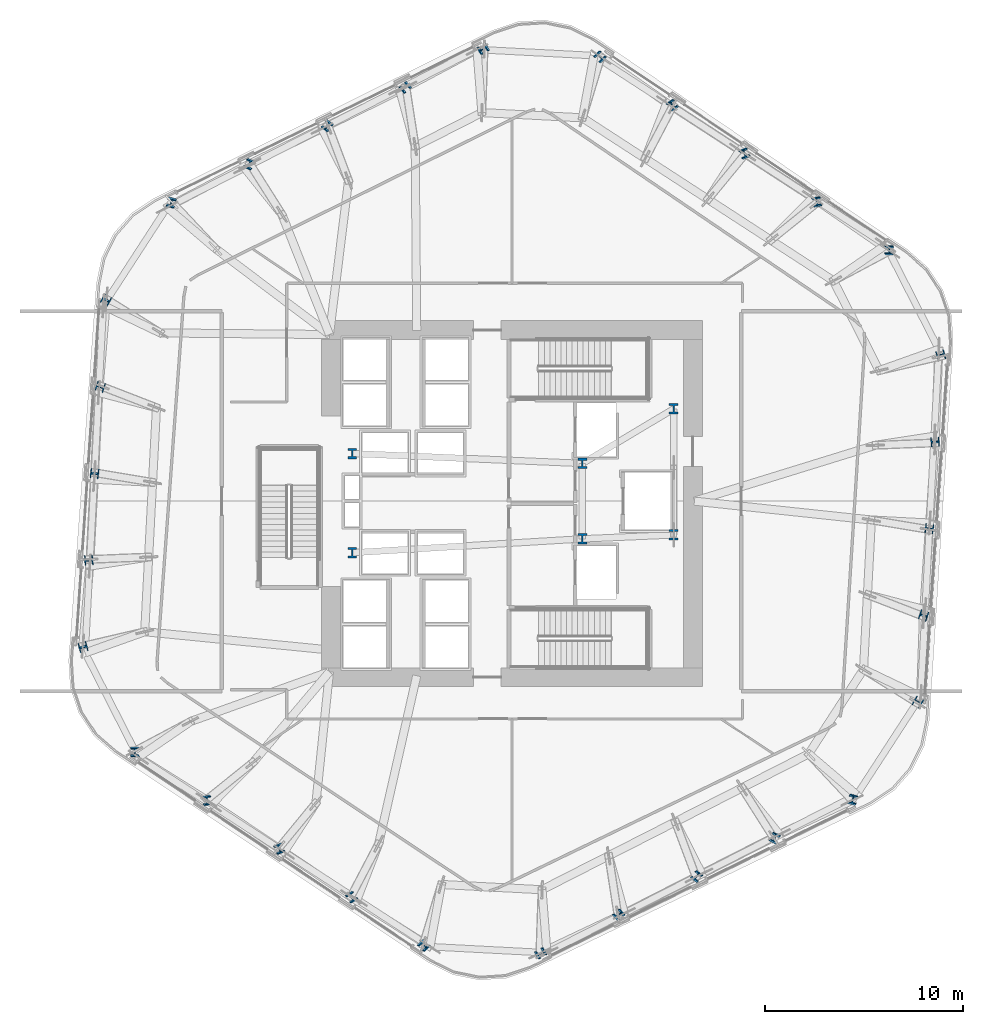
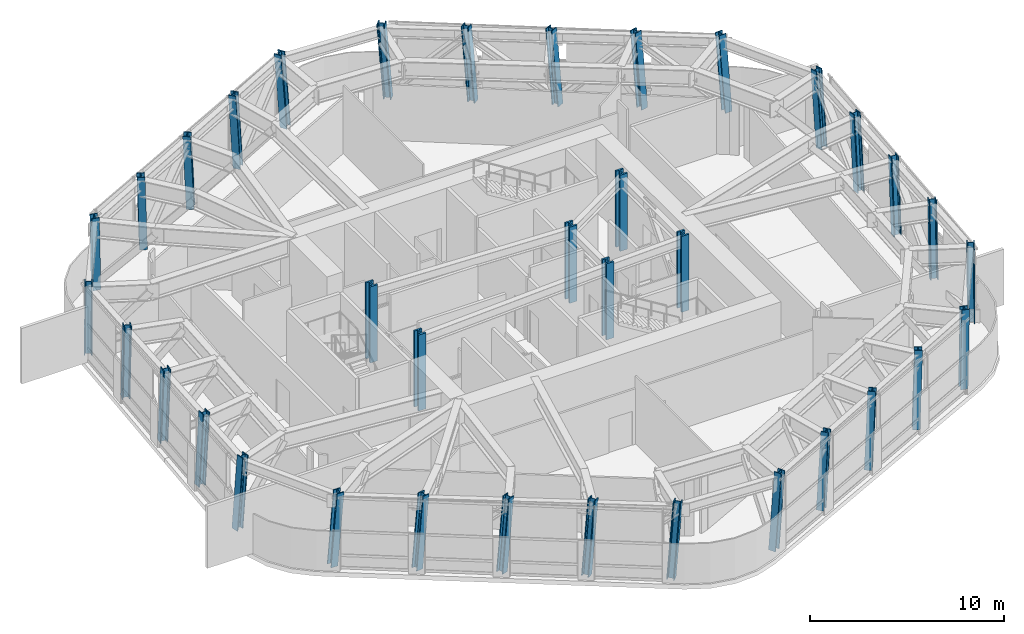
# One storey, part 1 of 14: 36 columns.
"""IFC4 building model written with IfcOpenShell, lengths in metres."""

from ifc_helpers import new_model, si_unit, direction, frame, origin, origin_2d, place, context, subcontext, project, spatial, i_section, extrude, material, material_profile, profile_set, type_object, element, save


model = new_model("IFC4")

# Units and contexts
model_context = context("Model", 3, precision=1e-05, world=origin(), true_north=direction((0.0, 1.0)))
body_context = subcontext(model_context, "Body", "Model", "MODEL_VIEW")
ifc_project = project(units=[si_unit("LENGTHUNIT", "METRE"), si_unit("AREAUNIT", "SQUARE_METRE"), si_unit("VOLUMEUNIT", "CUBIC_METRE"), si_unit("PLANEANGLEUNIT", "RADIAN"), si_unit("MASSUNIT", "GRAM", prefix="KILO")], contexts=[model_context])

# Site, building, storey
site_placement = place(None, origin())
site = spatial("IfcSite", under=ifc_project, at=site_placement, CompositionType="ELEMENT")
building_placement = place(site_placement, origin())
building = spatial("IfcBuilding", under=site, at=building_placement, Name="Valkerne Bourse Tower", CompositionType="ELEMENT")
storey_placement = place(building_placement, frame((0.0, 0.0, 135.199951171875)))
storey = spatial("IfcBuildingStorey", under=building, at=storey_placement, Name="L34", CompositionType="ELEMENT", Elevation=135.199951171875)

# Columns
ifc_material = material(Name="Steel ASTM A913 Grade 65", Category="steel")
ifc_material_profile_1 = material_profile(ifc_material, i_section(OverallWidth=0.408935546875, OverallDepth=0.42431640625, WebThickness=0.03271484375, FlangeThickness=0.052490234375, FilletRadius=0.025390625, at=origin_2d()), Name="W14X283")
ifc_profile_set_1 = profile_set([ifc_material_profile_1], Name="Steel ASTM A913 Grade 65")
column_type_1 = type_object("IfcColumnType", Name="COL-W14X283", PredefinedType="COLUMN", material=ifc_profile_set_1)
column_1_placement = place(storey_placement, frame((65.83740234375, 39.614013671875, 0.010009765625), z_axis=(-0.04180667907, 0.062022576258, 0.997198777386), x_axis=(0.999125709545, 0.002729663543, 0.041717687655)))
element("IfcColumn", 1, at=column_1_placement, inside=storey, type_object=column_type_1, Name="L34 Helical Perimeter Tube Column F1-C1", PredefinedType="COLUMN", context=body_context, shape_type="SweptSolid", body=[
    extrude(i_section(OverallWidth=0.408935546875, OverallDepth=0.42431640625, WebThickness=0.03271484375, FlangeThickness=0.052490234375, FilletRadius=0.025390625, at=origin_2d()), origin(), (0.0, 0.0, 1.0), 4.79443359375),
])
column_2_placement = place(storey_placement, frame((62.199462890625, 42.05859375, 0.010009765625), z_axis=(-0.049714923629, 0.050071485581, 0.997507530147), x_axis=(0.980994849606, 0.190000853988, 0.039354549035)))
element("IfcColumn", 2, at=column_2_placement, inside=storey, type_object=column_type_1, Name="L34 Helical Perimeter Tube Column F1-C2", PredefinedType="COLUMN", context=body_context, shape_type="SweptSolid", body=[
    extrude(i_section(OverallWidth=0.408935546875, OverallDepth=0.42431640625, WebThickness=0.03271484375, FlangeThickness=0.052490234375, FilletRadius=0.025390625, at=origin_2d()), origin(), (0.0, 0.0, 1.0), 4.79296875),
])
column_3_placement = place(storey_placement, frame((58.5615234375, 44.503173828125, 0.010009765625), z_axis=(-0.057667104206, 0.038054175655, 0.99761033716), x_axis=(0.921564203517, 0.386308742407, 0.038535364745)))
element("IfcColumn", 3, at=column_3_placement, inside=storey, type_object=column_type_1, Name="L34 Helical Perimeter Tube Column F1-C3", PredefinedType="COLUMN", context=body_context, shape_type="SweptSolid", body=[
    extrude(i_section(OverallWidth=0.408935546875, OverallDepth=0.42431640625, WebThickness=0.03271484375, FlangeThickness=0.052490234375, FilletRadius=0.025390625, at=origin_2d()), origin(), (0.0, 0.0, 1.0), 4.79248046875),
])
column_4_placement = place(storey_placement, frame((54.923583984375, 46.94775390625, 0.010009765625), z_axis=(-0.06555649173, 0.026079971846, 0.997507985663), x_axis=(0.823761580065, 0.565569059775, 0.039350957205)))
element("IfcColumn", 4, at=column_4_placement, inside=storey, type_object=column_type_1, Name="L34 Helical Perimeter Tube Column F1-C4", PredefinedType="COLUMN", context=body_context, shape_type="SweptSolid", body=[
    extrude(i_section(OverallWidth=0.408935546875, OverallDepth=0.42431640625, WebThickness=0.03271484375, FlangeThickness=0.052490234375, FilletRadius=0.025390625, at=origin_2d()), origin(), (0.0, 0.0, 1.0), 4.79296875),
])
for number, where, z_axis, x_axis, name in (
    (5, (51.28564453125, 49.392333984375, 0.010009765625), (-0.073479814107, 0.014105272701, 0.997196950557), (0.702682382615, 0.71027879759, 0.041731269529), "L34 Helical Perimeter Tube Column F1-C5"),
    (6, (45.394775390625, 49.7939453125, 0.010009765625), (-0.074650953706, -0.005193995415, 0.997196198109), (-0.499979073712, 0.86541152953, -0.032921275905), "L34 Helical Perimeter Tube Column F2-C1"),
):
    element("IfcColumn", number, at=place(storey_placement, frame(where, z_axis=z_axis, x_axis=x_axis)), inside=storey, type_object=column_type_1, Name=name, PredefinedType="COLUMN", context=body_context, shape_type="SweptSolid", body=[
        extrude(i_section(OverallWidth=0.408935546875, OverallDepth=0.42431640625, WebThickness=0.03271484375, FlangeThickness=0.052490234375, FilletRadius=0.025390625, at=origin_2d()), origin(), (0.0, 0.0, 1.0), 4.79443359375),
    ])
column_5_placement = place(storey_placement, frame((41.458740234375, 47.865478515625, 0.010009765625), z_axis=(-0.068255963532, -0.018031799321, 0.997504876006), x_axis=(-0.65365670451, 0.756153603908, -0.031058653335)))
element("IfcColumn", 7, at=column_5_placement, inside=storey, type_object=column_type_1, Name="L34 Helical Perimeter Tube Column F2-C2", PredefinedType="COLUMN", context=body_context, shape_type="SweptSolid", body=[
    extrude(i_section(OverallWidth=0.408935546875, OverallDepth=0.42431640625, WebThickness=0.03271484375, FlangeThickness=0.052490234375, FilletRadius=0.025390625, at=origin_2d()), origin(), (0.0, 0.0, 1.0), 4.79296875),
])
column_6_placement = place(storey_placement, frame((37.522705078125, 45.9375, 0.010009765625), z_axis=(-0.061844177618, -0.030922088809, 0.99760669711), x_axis=(-0.794161947654, 0.606944378708, -0.030419106704)))
element("IfcColumn", 8, at=column_6_placement, inside=storey, type_object=column_type_1, Name="L34 Helical Perimeter Tube Column F2-C3", PredefinedType="COLUMN", context=body_context, shape_type="SweptSolid", body=[
    extrude(i_section(OverallWidth=0.408935546875, OverallDepth=0.42431640625, WebThickness=0.03271484375, FlangeThickness=0.052490234375, FilletRadius=0.025390625, at=origin_2d()), origin(), (0.0, 0.0, 1.0), 4.79248046875),
])
column_7_placement = place(storey_placement, frame((33.586669921875, 44.009033203125, 0.010009765625), z_axis=(-0.055419839877, -0.043704248726, 0.997506180428), x_axis=(-0.900664760669, 0.43340379857, -0.031050543861)))
element("IfcColumn", 9, at=column_7_placement, inside=storey, type_object=column_type_1, Name="L34 Helical Perimeter Tube Column F2-C4", PredefinedType="COLUMN", context=body_context, shape_type="SweptSolid", body=[
    extrude(i_section(OverallWidth=0.408935546875, OverallDepth=0.42431640625, WebThickness=0.03271484375, FlangeThickness=0.052490234375, FilletRadius=0.025390625, at=origin_2d()), origin(), (0.0, 0.0, 1.0), 4.79296875),
])
for number, where, z_axis, x_axis, name in (
    (10, (29.650634765625, 42.080810546875, 0.010009765625), (-0.048986492755, -0.056573797766, 0.997195933071), (-0.966065564341, 0.256190188496, -0.032922829672), "L34 Helical Perimeter Tube Column F2-C5"),
    (11, (26.357421875, 37.179931640625, 0.010009765625), (-0.032844431101, -0.067216510161, 0.997197665514), (-0.497892849007, -0.864020709435, -0.074638626567), "L34 Helical Perimeter Tube Column F3-C1"),
):
    element("IfcColumn", number, at=place(storey_placement, frame(where, z_axis=z_axis, x_axis=x_axis)), inside=storey, type_object=column_type_1, Name=name, PredefinedType="COLUMN", context=body_context, shape_type="SweptSolid", body=[
        extrude(i_section(OverallWidth=0.408935546875, OverallDepth=0.42431640625, WebThickness=0.03271484375, FlangeThickness=0.052490234375, FilletRadius=0.025390625, at=origin_2d()), origin(), (0.0, 0.0, 1.0), 4.79443359375),
    ])
column_8_placement = place(storey_placement, frame((26.05908203125, 32.80712890625, 0.010009765625), z_axis=(-0.018439352702, -0.068103355145, 0.997507856255), x_axis=(-0.325741848804, -0.94283466218, -0.070392099913)))
element("IfcColumn", 12, at=column_8_placement, inside=storey, type_object=column_type_1, Name="L34 Helical Perimeter Tube Column F3-C2", PredefinedType="COLUMN", context=body_context, shape_type="SweptSolid", body=[
    extrude(i_section(OverallWidth=0.408935546875, OverallDepth=0.42431640625, WebThickness=0.03271484375, FlangeThickness=0.052490234375, FilletRadius=0.025390625, at=origin_2d()), origin(), (0.0, 0.0, 1.0), 4.79296875),
])
column_9_placement = place(storey_placement, frame((25.760986328125, 28.434326171875, 0.010009765625), z_axis=(-0.004126339514, -0.069027037557, 0.997606255698), x_axis=(-0.127285471299, -0.989463880595, -0.068990128243)))
element("IfcColumn", 13, at=column_9_placement, inside=storey, type_object=column_type_1, Name="L34 Helical Perimeter Tube Column F3-C3", PredefinedType="COLUMN", context=body_context, shape_type="SweptSolid", body=[
    extrude(i_section(OverallWidth=0.408935546875, OverallDepth=0.42431640625, WebThickness=0.03271484375, FlangeThickness=0.052490234375, FilletRadius=0.025390625, at=origin_2d()), origin(), (0.0, 0.0, 1.0), 4.79248046875),
])
column_10_placement = place(storey_placement, frame((25.462890625, 24.061279296875, 0.010009765625), z_axis=(0.01018751032, -0.069784445694, 0.997510073018), x_axis=(0.076458956679, -0.994587041056, -0.070360825082)))
element("IfcColumn", 14, at=column_10_placement, inside=storey, type_object=column_type_1, Name="L34 Helical Perimeter Tube Column F3-C4", PredefinedType="COLUMN", context=body_context, shape_type="SweptSolid", body=[
    extrude(i_section(OverallWidth=0.408935546875, OverallDepth=0.42431640625, WebThickness=0.03271484375, FlangeThickness=0.052490234375, FilletRadius=0.025390625, at=origin_2d()), origin(), (0.0, 0.0, 1.0), 4.79296875),
])
for number, where, z_axis, x_axis, name in (
    (15, (25.164794921875, 19.688720703125, 0.010009765625), (0.024544108063, -0.070729805186, 0.997193502495), (0.261901104789, -0.962199886954, -0.074693968007), "L34 Helical Perimeter Tube Column F3-C5"),
    (16, (27.762451171875, 14.385986328125, 0.010009765625), (0.04180667907, -0.062022576258, 0.997198777386), (0.999125709545, 0.002729663543, -0.041717687655), "L34 Helical Perimeter Tube Column F4-C1"),
):
    element("IfcColumn", number, at=place(storey_placement, frame(where, z_axis=z_axis, x_axis=x_axis)), inside=storey, type_object=column_type_1, Name=name, PredefinedType="COLUMN", context=body_context, shape_type="SweptSolid", body=[
        extrude(i_section(OverallWidth=0.408935546875, OverallDepth=0.42431640625, WebThickness=0.03271484375, FlangeThickness=0.052490234375, FilletRadius=0.025390625, at=origin_2d()), origin(), (0.0, 0.0, 1.0), 4.79443359375),
    ])
column_11_placement = place(storey_placement, frame((31.400390625, 11.94140625, 0.010009765625), z_axis=(0.049765734962, -0.050071358718, 0.997505002824), x_axis=(0.980896442809, 0.190504119324, -0.039374471497)))
element("IfcColumn", 17, at=column_11_placement, inside=storey, type_object=column_type_1, Name="L34 Helical Perimeter Tube Column F4-C2", PredefinedType="COLUMN", context=body_context, shape_type="SweptSolid", body=[
    extrude(i_section(OverallWidth=0.408935546875, OverallDepth=0.42431640625, WebThickness=0.03271484375, FlangeThickness=0.052490234375, FilletRadius=0.025390625, at=origin_2d()), origin(), (0.0, 0.0, 1.0), 4.79296875),
])
column_12_placement = place(storey_placement, frame((35.038330078125, 9.496826171875, 0.010009765625), z_axis=(0.057667104206, -0.038054175655, 0.99761033716), x_axis=(0.921564203517, 0.386308742407, -0.038535364745)))
element("IfcColumn", 18, at=column_12_placement, inside=storey, type_object=column_type_1, Name="L34 Helical Perimeter Tube Column F4-C3", PredefinedType="COLUMN", context=body_context, shape_type="SweptSolid", body=[
    extrude(i_section(OverallWidth=0.408935546875, OverallDepth=0.42431640625, WebThickness=0.03271484375, FlangeThickness=0.052490234375, FilletRadius=0.025390625, at=origin_2d()), origin(), (0.0, 0.0, 1.0), 4.79248046875),
])
column_13_placement = place(storey_placement, frame((38.676513671875, 7.05224609375, 0.010009765625), z_axis=(0.06555649173, -0.026079971846, 0.997507985663), x_axis=(0.823761580065, 0.565569059775, -0.039350957205)))
element("IfcColumn", 19, at=column_13_placement, inside=storey, type_object=column_type_1, Name="L34 Helical Perimeter Tube Column F4-C4", PredefinedType="COLUMN", context=body_context, shape_type="SweptSolid", body=[
    extrude(i_section(OverallWidth=0.408935546875, OverallDepth=0.42431640625, WebThickness=0.03271484375, FlangeThickness=0.052490234375, FilletRadius=0.025390625, at=origin_2d()), origin(), (0.0, 0.0, 1.0), 4.79296875),
])
for number, where, z_axis, x_axis, name in (
    (20, (42.314208984375, 4.607666015625, 0.010009765625), (0.073479814107, -0.014105272701, 0.997196950557), (0.702682382615, 0.71027879759, -0.041731269529), "L34 Helical Perimeter Tube Column F4-C5"),
    (21, (48.205078125, 4.2060546875, 0.010009765625), (0.074650953706, 0.005193995415, 0.997196198109), (-0.499979073712, 0.86541152953, 0.032921275905), "L34 Helical Perimeter Tube Column F5-C1"),
):
    element("IfcColumn", number, at=place(storey_placement, frame(where, z_axis=z_axis, x_axis=x_axis)), inside=storey, type_object=column_type_1, Name=name, PredefinedType="COLUMN", context=body_context, shape_type="SweptSolid", body=[
        extrude(i_section(OverallWidth=0.408935546875, OverallDepth=0.42431640625, WebThickness=0.03271484375, FlangeThickness=0.052490234375, FilletRadius=0.025390625, at=origin_2d()), origin(), (0.0, 0.0, 1.0), 4.79443359375),
    ])
column_14_placement = place(storey_placement, frame((52.141357421875, 6.134521484375, 0.010009765625), z_axis=(0.068205263292, 0.018031861991, 0.997508342828), x_axis=(-0.653797614538, 0.756032656645, 0.031037095716)))
element("IfcColumn", 22, at=column_14_placement, inside=storey, type_object=column_type_1, Name="L34 Helical Perimeter Tube Column F5-C2", PredefinedType="COLUMN", context=body_context, shape_type="SweptSolid", body=[
    extrude(i_section(OverallWidth=0.408935546875, OverallDepth=0.42431640625, WebThickness=0.03271484375, FlangeThickness=0.052490234375, FilletRadius=0.025390625, at=origin_2d()), origin(), (0.0, 0.0, 1.0), 4.79296875),
])
column_15_placement = place(storey_placement, frame((56.077392578125, 8.0625, 0.010009765625), z_axis=(0.061793429732, 0.030922186189, 0.997609838786), x_axis=(-0.794363254048, 0.606681886806, 0.030399158549)))
element("IfcColumn", 23, at=column_15_placement, inside=storey, type_object=column_type_1, Name="L34 Helical Perimeter Tube Column F5-C3", PredefinedType="COLUMN", context=body_context, shape_type="SweptSolid", body=[
    extrude(i_section(OverallWidth=0.408935546875, OverallDepth=0.42431640625, WebThickness=0.03271484375, FlangeThickness=0.052490234375, FilletRadius=0.025390625, at=origin_2d()), origin(), (0.0, 0.0, 1.0), 4.79248046875),
])
column_16_placement = place(storey_placement, frame((60.013427734375, 9.990966796875, 0.010009765625), z_axis=(0.055369058756, 0.043704372045, 0.997508995046), x_axis=(-0.900859438993, 0.433000256011, 0.031033038377)))
element("IfcColumn", 24, at=column_16_placement, inside=storey, type_object=column_type_1, Name="L34 Helical Perimeter Tube Column F5-C4", PredefinedType="COLUMN", context=body_context, shape_type="SweptSolid", body=[
    extrude(i_section(OverallWidth=0.408935546875, OverallDepth=0.42431640625, WebThickness=0.03271484375, FlangeThickness=0.052490234375, FilletRadius=0.025390625, at=origin_2d()), origin(), (0.0, 0.0, 1.0), 4.79296875),
])
for number, where, z_axis, x_axis, name in (
    (25, (63.949462890625, 11.919189453125, 0.010009765625), (0.04893569325, 0.056573938814, 0.997198419259), (-0.966197996903, 0.255692154268, 0.032908251628), "L34 Helical Perimeter Tube Column F5-C5"),
    (26, (67.24267578125, 16.820068359375, 0.010009765625), (0.032793564307, 0.067216622493, 0.99719933203), (-0.497364929087, -0.864326622902, 0.074616461041), "L34 Helical Perimeter Tube Column F6-C1"),
):
    element("IfcColumn", number, at=place(storey_placement, frame(where, z_axis=z_axis, x_axis=x_axis)), inside=storey, type_object=column_type_1, Name=name, PredefinedType="COLUMN", context=body_context, shape_type="SweptSolid", body=[
        extrude(i_section(OverallWidth=0.408935546875, OverallDepth=0.42431640625, WebThickness=0.03271484375, FlangeThickness=0.052490234375, FilletRadius=0.025390625, at=origin_2d()), origin(), (0.0, 0.0, 1.0), 4.79443359375),
    ])
column_17_placement = place(storey_placement, frame((67.540771484375, 21.19287109375, 0.010009765625), z_axis=(0.018490272749, 0.068103291091, 0.997506918049), x_axis=(-0.326398421858, -0.942606577212, 0.07040533222)))
element("IfcColumn", 27, at=column_17_placement, inside=storey, type_object=column_type_1, Name="L34 Helical Perimeter Tube Column F6-C2", PredefinedType="COLUMN", context=body_context, shape_type="SweptSolid", body=[
    extrude(i_section(OverallWidth=0.408935546875, OverallDepth=0.42431640625, WebThickness=0.03271484375, FlangeThickness=0.052490234375, FilletRadius=0.025390625, at=origin_2d()), origin(), (0.0, 0.0, 1.0), 4.79296875),
])
column_18_placement = place(storey_placement, frame((67.8388671875, 25.565673828125, 0.010009765625), z_axis=(0.004177281094, 0.069027022957, 0.997606044701), x_axis=(-0.128013023457, -0.989369803963, 0.068993165107)))
element("IfcColumn", 28, at=column_18_placement, inside=storey, type_object=column_type_1, Name="L34 Helical Perimeter Tube Column F6-C3", PredefinedType="COLUMN", context=body_context, shape_type="SweptSolid", body=[
    extrude(i_section(OverallWidth=0.408935546875, OverallDepth=0.42431640625, WebThickness=0.03271484375, FlangeThickness=0.052490234375, FilletRadius=0.025390625, at=origin_2d()), origin(), (0.0, 0.0, 1.0), 4.79248046875),
])
column_19_placement = place(storey_placement, frame((68.136962890625, 29.938720703125, 0.010009765625), z_axis=(-0.01018751032, 0.069784445694, 0.997510073018), x_axis=(0.076458956679, -0.994587041056, 0.070360825082)))
element("IfcColumn", 29, at=column_19_placement, inside=storey, type_object=column_type_1, Name="L34 Helical Perimeter Tube Column F6-C4", PredefinedType="COLUMN", context=body_context, shape_type="SweptSolid", body=[
    extrude(i_section(OverallWidth=0.408935546875, OverallDepth=0.42431640625, WebThickness=0.03271484375, FlangeThickness=0.052490234375, FilletRadius=0.025390625, at=origin_2d()), origin(), (0.0, 0.0, 1.0), 4.79296875),
])
column_20_placement = place(storey_placement, frame((68.43505859375, 34.311279296875, 0.010009765625), z_axis=(-0.024493217258, 0.070729893494, 0.997194747517), x_axis=(0.261283042274, -0.962369188271, 0.074677421531)))
element("IfcColumn", 30, at=column_20_placement, inside=storey, type_object=column_type_1, Name="L34 Helical Perimeter Tube Column F6-C5", PredefinedType="COLUMN", context=body_context, shape_type="SweptSolid", body=[
    extrude(i_section(OverallWidth=0.408935546875, OverallDepth=0.42431640625, WebThickness=0.03271484375, FlangeThickness=0.052490234375, FilletRadius=0.025390625, at=origin_2d()), origin(), (0.0, 0.0, 1.0), 4.79443359375),
])
ifc_material_profile_2 = material_profile(ifc_material, i_section(OverallWidth=0.44189453125, OverallDepth=0.531005859375, WebThickness=0.06591796875, FlangeThickness=0.105712890625, FilletRadius=0.030517578125, at=origin_2d()), Name="W14X605")
ifc_profile_set_2 = profile_set([ifc_material_profile_2], Name="Steel ASTM A913 Grade 65")
column_type_2 = type_object("IfcColumnType", Name="COL-W14X605", PredefinedType="COLUMN", material=ifc_profile_set_2)
for number, where, z_axis, x_axis, name in (
    (31, (38.75, 24.39990234375, 0.005126953125), (0.0, 0.0, 1.0), (1.0, 0.0, 0.0), "L34 Core Frame Column CC-SW"),
    (32, (38.75, 29.39990234375, 0.005126953125), (0.0, 0.0, 1.0), (1.0, 0.0, 0.0), "L34 Core Frame Column CC-NW"),
    (33, (50.35009765625, 25.10009765625, 0.005126953125), (0.0, 0.0, 1.0), (1.0, 0.0, 0.0), "L34 Core Frame Column CC-CE1"),
    (34, (50.35009765625, 28.89990234375, 0.005126953125), (0.0, 0.0, 1.0), (1.0, 0.0, 0.0), "L34 Core Frame Column CC-CE2"),
    (35, (54.949951171875, 25.300048828125, 0.005126953125), (0.0, 0.0, 1.0), (1.0, 0.0, 0.0), "L34 Core Frame Column CC-SE"),
    (36, (54.949951171875, 31.64990234375, 0.005126953125), (0.0, 0.0, 1.0), (1.0, 0.0, 0.0), "L34 Core Frame Column CC-NE"),
):
    element("IfcColumn", number, at=place(storey_placement, frame(where, z_axis=z_axis, x_axis=x_axis)), inside=storey, type_object=column_type_2, Name=name, PredefinedType="COLUMN", context=body_context, shape_type="SweptSolid", body=[
        extrude(i_section(OverallWidth=0.44189453125, OverallDepth=0.531005859375, WebThickness=0.06591796875, FlangeThickness=0.105712890625, FilletRadius=0.030517578125, at=origin_2d()), origin(), (0.0, 0.0, 1.0), 4.794921875),
    ])

save(model, "model.ifc")
